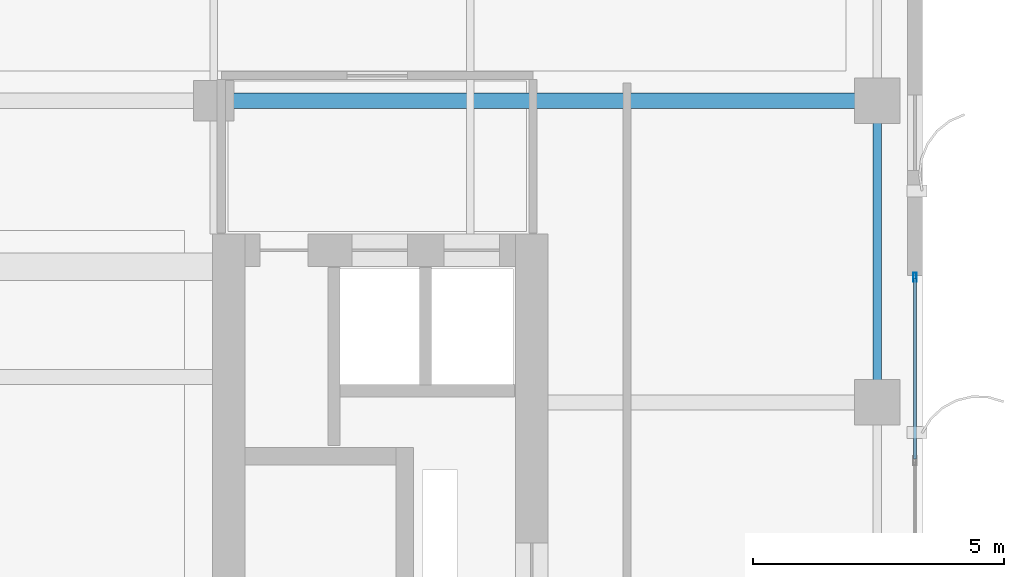
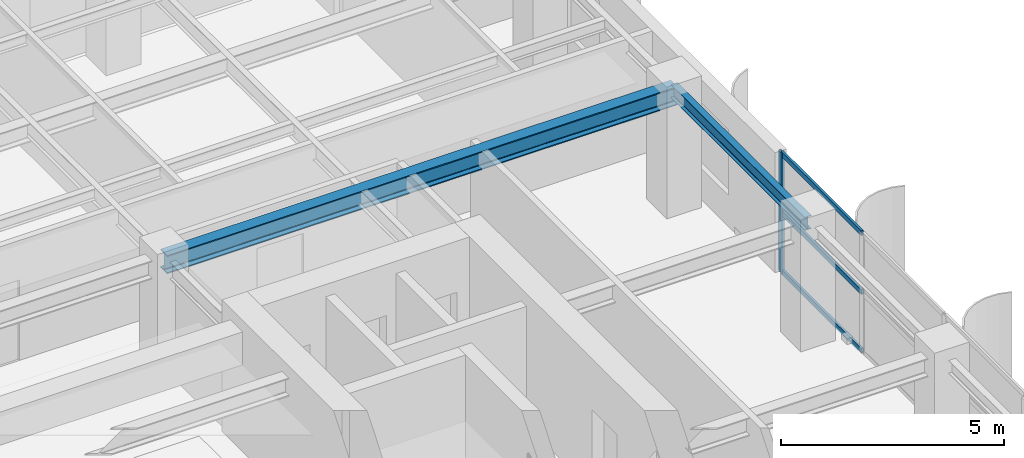
# One storey, part 12 of 25: 4 members, 2 beams, 1 element without a shape of its own.
"""IFC4 building model written with IfcOpenShell, lengths in metres."""

from ifc_helpers import new_model, si_unit, direction, frame, origin, origin_2d, place, context, subcontext, project, spatial, hollow_rectangle, i_section, extrude, source, transform, mapped, material, layer, layer_set, material_profile, profile_set, type_object, element, aggregate, save


model = new_model("IFC4")

# Units and contexts
model_context = context("Model", 3, precision=1e-05, world=origin(), true_north=direction((0.0, 1.0)))
body_context = subcontext(model_context, "Body", "Model", "MODEL_VIEW")
ifc_project = project(units=[si_unit("LENGTHUNIT", "METRE"), si_unit("AREAUNIT", "SQUARE_METRE"), si_unit("VOLUMEUNIT", "CUBIC_METRE"), si_unit("PLANEANGLEUNIT", "RADIAN"), si_unit("MASSUNIT", "GRAM", prefix="KILO")], contexts=[model_context])

# Site, building, storey
site_placement = place(None, origin())
site = spatial("IfcSite", under=ifc_project, at=site_placement, CompositionType="ELEMENT")
building_placement = place(site_placement, origin())
building = spatial("IfcBuilding", under=site, at=building_placement, Name="Khoralis Quay Care Tower", CompositionType="ELEMENT")
storey_placement = place(building_placement, frame((0.0, 0.0, 216.89990234375)))
storey = spatial("IfcBuildingStorey", under=building, at=storey_placement, Name="L57", CompositionType="ELEMENT", Elevation=216.89990234375)

# Beams
ifc_material_1 = material(Name="Steel S355", Category="steel")
ifc_material_profile_1 = material_profile(ifc_material_1, i_section(OverallWidth=0.169921875, OverallDepth=0.360107421875, WebThickness=0.008056640625, FlangeThickness=0.0126953125, FilletRadius=0.01806640625, at=origin_2d()), Name="Steel S355")
ifc_profile_set_1 = profile_set([ifc_material_profile_1], Name="Steel S355")
beam_type_1 = type_object("IfcBeamType", Name="BM-IPE360", PredefinedType="SPANDREL", material=ifc_profile_set_1)
shared_shape_1 = source(origin(), body_context, "Body", "SweptSolid", [
    extrude(i_section(OverallWidth=0.169921875, OverallDepth=0.360107421875, WebThickness=0.008056640625, FlangeThickness=0.0126953125, FilletRadius=0.01806640625, at=origin_2d()), origin(), (0.0, 0.0, 1.0), 6.0),
])
beam_1_placement = place(storey_placement, frame((44.10009765625, 24.0, 3.10009765625), z_axis=(0.0, 1.0, 0.0), x_axis=(-1.0, 0.0, 0.0)))
element("IfcBeam", 1, at=beam_1_placement, inside=storey, type_object=beam_type_1, Name="BM-TSP-L57-15", PredefinedType="SPANDREL", context=body_context, shape_type="MappedRepresentation", body=[
    mapped(shared_shape_1, transform((0.0, 0.0, 0.0), scale=1.0)),
])
ifc_material_profile_2 = material_profile(ifc_material_1, i_section(OverallWidth=0.300048828125, OverallDepth=0.5, WebThickness=0.014404296875, FlangeThickness=0.028076171875, FilletRadius=0.027099609375, at=origin_2d()), Name="Steel S355")
ifc_profile_set_2 = profile_set([ifc_material_profile_2], Name="Steel S355")
beam_type_2 = type_object("IfcBeamType", Name="BM-HEB500", PredefinedType="BEAM", material=ifc_profile_set_2)
shared_shape_2 = source(origin(), body_context, "Body", "SweptSolid", [
    extrude(i_section(OverallWidth=0.300048828125, OverallDepth=0.5, WebThickness=0.014404296875, FlangeThickness=0.028076171875, FilletRadius=0.027099609375, at=origin_2d()), origin(), (0.0, 0.0, 1.0), 13.2001953125),
])
beam_2_placement = place(storey_placement, frame((30.89990234375, 30.0, 3.030029296875), z_axis=(1.0, 0.0, 0.0), x_axis=(0.0, 1.0, 0.0)))
element("IfcBeam", 2, at=beam_2_placement, inside=storey, type_object=beam_type_2, Name="BM-TGXE-L57-300", PredefinedType="BEAM", context=body_context, shape_type="MappedRepresentation", body=[
    mapped(shared_shape_2, transform((0.0, 0.0, 0.0), scale=1.0)),
])

# Curtain wall, members
ifc_material_2 = material(Name="Pale anodised aluminium", Category="aluminium")
ifc_layer = layer(ifc_material_2, 0.159912109375)
ifc_layer_set = layer_set([ifc_layer], Name="Pale anodised aluminium")
curtain_wall_type = type_object("IfcCurtainWallType", Name="CW-SYS-Z3", PredefinedType="NOTDEFINED", material=ifc_layer_set)
curtain_wall_placement = place(storey_placement, origin())
curtain_wall = element("IfcCurtainWall", 3, at=curtain_wall_placement, inside=storey, type_object=curtain_wall_type, Name="L57 Unitised Curtain Wall CW-L57-P1-E5", PredefinedType="NOTDEFINED")
ifc_material_profile_3 = material_profile(ifc_material_2, hollow_rectangle(XDim=0.06494140625, YDim=0.179931640625, WallThickness=0.00390625, at=origin_2d()), Name="Pale anodised aluminium")
ifc_profile_set_3 = profile_set([ifc_material_profile_3], Name="Pale anodised aluminium")
member_type_1 = type_object("IfcMemberType", Name="CW-MUL-180", PredefinedType="MULLION", material=ifc_profile_set_3)
shared_shape_3 = source(origin(), body_context, "Body", "SweptSolid", [
    extrude(hollow_rectangle(XDim=0.06494140625, YDim=0.179931640625, WallThickness=0.00390625, at=origin_2d()), origin(), (0.0, 0.0, 1.0), 3.280029296875),
])
member_1_placement = place(storey_placement, frame((44.85009765625, 26.489990234375, 0.0), z_axis=(0.0, 0.0, 1.0), x_axis=(-1.0, 0.0, 0.0)))
member_1 = element("IfcMember", 4, at=member_1_placement, type_object=member_type_1, Name="CW3 mullion 4", PredefinedType="MULLION", context=body_context, shape_type="MappedRepresentation", body=[
    mapped(shared_shape_3, transform((0.0, 0.0, 0.0), scale=1.0)),
])
ifc_material_profile_4 = material_profile(ifc_material_2, hollow_rectangle(XDim=0.06005859375, YDim=0.139892578125, WallThickness=0.00390625, at=origin_2d()), Name="Pale anodised aluminium")
ifc_profile_set_4 = profile_set([ifc_material_profile_4], Name="Pale anodised aluminium")
member_type_2 = type_object("IfcMemberType", Name="CW-TRN-140", PredefinedType="USERDEFINED", material=ifc_profile_set_4)
shared_shape_4 = source(origin(), body_context, "Body", "SweptSolid", [
    extrude(hollow_rectangle(XDim=0.06005859375, YDim=0.139892578125, WallThickness=0.00390625, at=origin_2d()), origin(), (0.0, 0.0, 1.0), 3.58984375),
])
member_2_placement = place(storey_placement, frame((44.85009765625, 22.8701171875, 0.030029296875), z_axis=(0.0, 1.0, 0.0), x_axis=(-1.0, 0.0, 0.0)))
member_2 = element("IfcMember", 5, at=member_2_placement, type_object=member_type_2, Name="CW3 transom 3.1", ObjectType="TRANSOM", PredefinedType="USERDEFINED", context=body_context, shape_type="MappedRepresentation", body=[
    mapped(shared_shape_4, transform((0.0, 0.0, 0.0), scale=1.0)),
])
member_3_placement = place(storey_placement, frame((44.85009765625, 22.8701171875, 1.64013671875), z_axis=(0.0, 1.0, 0.0), x_axis=(-1.0, 0.0, 0.0)))
member_3 = element("IfcMember", 6, at=member_3_placement, type_object=member_type_2, Name="CW3 transom 3.2", ObjectType="TRANSOM", PredefinedType="USERDEFINED", context=body_context, shape_type="MappedRepresentation", body=[
    mapped(shared_shape_4, transform((0.0, 0.0, 0.0), scale=1.0)),
])
member_4_placement = place(storey_placement, frame((44.85009765625, 22.8701171875, 3.25), z_axis=(0.0, 1.0, 0.0), x_axis=(-1.0, 0.0, 0.0)))
member_4 = element("IfcMember", 7, at=member_4_placement, type_object=member_type_2, Name="CW3 transom 3.3", ObjectType="TRANSOM", PredefinedType="USERDEFINED", context=body_context, shape_type="MappedRepresentation", body=[
    mapped(shared_shape_4, transform((0.0, 0.0, 0.0), scale=1.0)),
])
aggregate(curtain_wall, [member_1, member_2, member_3, member_4])

save(model, "model.ifc")
